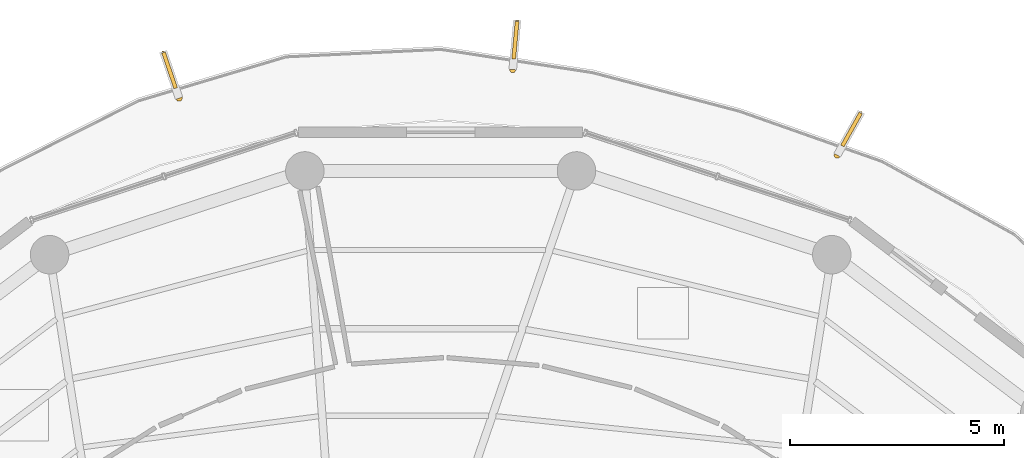
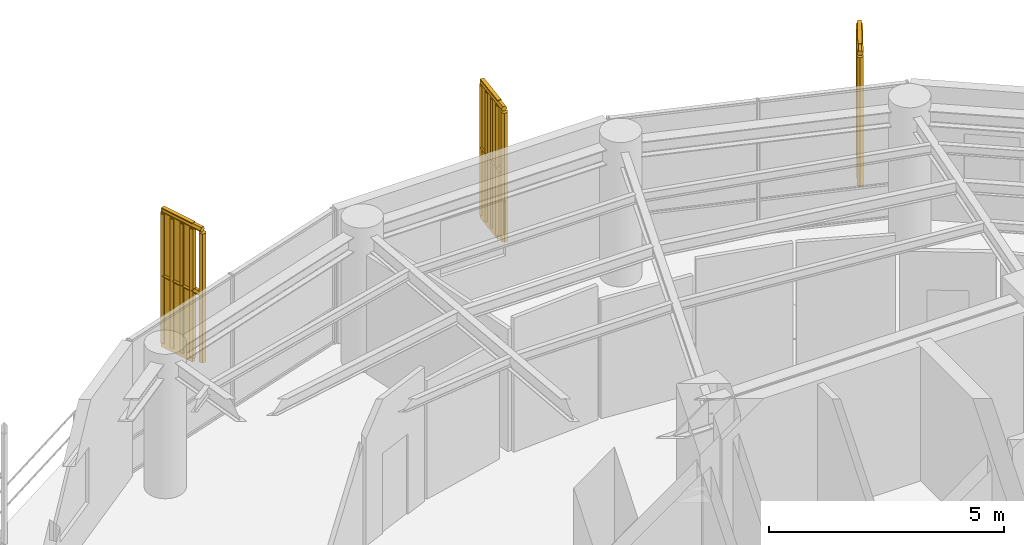
# One storey, part 23 of 23: 3 railings, 3 shading devices.
"""IFC4 building model written with IfcOpenShell, lengths in metres."""

from ifc_helpers import new_model, si_unit, direction, frame, origin, origin_2d, place, context, subcontext, project, spatial, polyline, rectangle, outline, extrude, source, transform, mapped, material, type_object, element, save


model = new_model("IFC4")

# Units and contexts
model_context = context("Model", 3, precision=1e-05, world=origin(), true_north=direction((0.0, 1.0)))
body_context = subcontext(model_context, "Body", "Model", "MODEL_VIEW")
ifc_project = project(units=[si_unit("LENGTHUNIT", "METRE"), si_unit("AREAUNIT", "SQUARE_METRE"), si_unit("VOLUMEUNIT", "CUBIC_METRE"), si_unit("PLANEANGLEUNIT", "RADIAN"), si_unit("MASSUNIT", "GRAM", prefix="KILO")], contexts=[model_context])

# Site, building, storey
site_placement = place(None, origin())
site = spatial("IfcSite", under=ifc_project, at=site_placement, CompositionType="ELEMENT")
building_placement = place(site_placement, origin())
building = spatial("IfcBuilding", under=site, at=building_placement, Name="Kelanora Arch Commons", CompositionType="ELEMENT")
storey_placement = place(building_placement, frame((0.0, 0.0, 282.449951171875)))
storey = spatial("IfcBuildingStorey", under=building, at=storey_placement, Name="L72", CompositionType="ELEMENT", Elevation=282.449951171875)

# Railings
ifc_material_1 = material(Name="Anodised bronze vertical shading fin rib assembly")
railing_type = type_object("IfcRailingType", Name="RAIL-FIN-BRZ", PredefinedType="BALUSTRADE", material=ifc_material_1)
railing_1_placement = place(storey_placement, frame((83.26708984375, 74.59912109375, -0.02001953125)))
element("IfcRailing", 1, at=railing_1_placement, inside=storey, type_object=railing_type, Name="Sweeping Bronze Vertical Fin Blade L72-03", PredefinedType="BALUSTRADE", context=body_context, shape_type="SweptSolid", body=[
    extrude(outline(polyline([(0.06982421875, 0.0), (0.034912109375, 0.060546875), (-0.034912109375, 0.060546875), (-0.06982421875, 0.0), (-0.034912109375, -0.060546875), (0.034912109375, -0.060546875), (0.06982421875, 0.0)])), frame((0.0, 0.0, 3.419921875), z_axis=(0.487425601124, 0.873164522509, 0.0), x_axis=(-0.873164522509, 0.487425601124, 0.0)), (0.0, 0.0, 1.0), 1.092529296875),
    extrude(outline(polyline([(0.06982421875, 0.0), (0.034912109375, 0.060546875), (-0.034912109375, 0.060546875), (-0.06982421875, 0.0), (-0.034912109375, -0.060546875), (0.034912109375, -0.060546875), (0.06982421875, 0.0)])), frame((0.0, 0.0, 1.7451171875), z_axis=(0.487425601124, 0.873164522509, 0.0), x_axis=(-0.873164522509, 0.487425601124, 0.0)), (0.0, 0.0, 1.0), 1.092529296875),
    extrude(outline(polyline([(0.080078125, 0.0), (0.0400390625, 0.0693359375), (-0.0400390625, 0.0693359375), (-0.080078125, 0.0), (-0.0400390625, -0.0693359375), (0.0400390625, -0.0693359375), (0.080078125, 0.0)])), origin(), (0.0, 0.0, 1.0), 3.35009765625),
    extrude(outline(polyline([(0.080078125, 0.0), (0.0400390625, 0.0693359375), (-0.0400390625, 0.0693359375), (-0.080078125, 0.0), (-0.0400390625, -0.0693359375), (0.0400390625, -0.0693359375), (0.080078125, 0.0)])), frame((0.133056640625, 0.238525390625, 0.0)), (0.0, 0.0, 1.0), 3.35009765625),
    extrude(outline(polyline([(0.080078125, 0.0), (0.0400390625, 0.0693359375), (-0.0400390625, 0.0693359375), (-0.080078125, 0.0), (-0.0400390625, -0.0693359375), (0.0400390625, -0.0693359375), (0.080078125, 0.0)])), frame((0.26611328125, 0.47705078125, 0.0)), (0.0, 0.0, 1.0), 3.35009765625),
    extrude(outline(polyline([(0.080078125, 0.0), (0.0400390625, 0.0693359375), (-0.0400390625, 0.0693359375), (-0.080078125, 0.0), (-0.0400390625, -0.0693359375), (0.0400390625, -0.0693359375), (0.080078125, 0.0)])), frame((0.3994140625, 0.71533203125, 0.0)), (0.0, 0.0, 1.0), 3.35009765625),
    extrude(outline(polyline([(0.080078125, 0.0), (0.0400390625, 0.0693359375), (-0.0400390625, 0.0693359375), (-0.080078125, 0.0), (-0.0400390625, -0.0693359375), (0.0400390625, -0.0693359375), (0.080078125, 0.0)])), frame((0.532470703125, 0.953857421875, 0.0)), (0.0, 0.0, 1.0), 3.35009765625),
])
railing_2_placement = place(storey_placement, frame((75.68408203125, 76.599609375, -0.02001953125)))
element("IfcRailing", 2, at=railing_2_placement, inside=storey, type_object=railing_type, Name="Sweeping Bronze Vertical Fin Blade L72-04", PredefinedType="BALUSTRADE", context=body_context, shape_type="SweptSolid", body=[
    extrude(outline(polyline([(0.06982421875, 0.0), (0.034912109375, 0.060546875), (-0.034912109375, 0.060546875), (-0.06982421875, 0.0), (-0.034912109375, -0.060546875), (0.034912109375, -0.060546875), (0.06982421875, 0.0)])), frame((0.0, 0.0, 3.419921875), z_axis=(0.090273830119, 0.995916982281, 0.0), x_axis=(-0.995916982281, 0.090273830119, 0.0)), (0.0, 0.0, 1.0), 1.092529296875),
    extrude(outline(polyline([(0.06982421875, 0.0), (0.034912109375, 0.060546875), (-0.034912109375, 0.060546875), (-0.06982421875, 0.0), (-0.034912109375, -0.060546875), (0.034912109375, -0.060546875), (0.06982421875, 0.0)])), frame((0.0, 0.0, 1.7451171875), z_axis=(0.090273830119, 0.995916982281, 0.0), x_axis=(-0.995916982281, 0.090273830119, 0.0)), (0.0, 0.0, 1.0), 1.092529296875),
    extrude(outline(polyline([(0.080078125, 0.0), (0.0400390625, 0.0693359375), (-0.0400390625, 0.0693359375), (-0.080078125, 0.0), (-0.0400390625, -0.0693359375), (0.0400390625, -0.0693359375), (0.080078125, 0.0)])), origin(), (0.0, 0.0, 1.0), 3.35009765625),
    extrude(outline(polyline([(0.080078125, 0.0), (0.0400390625, 0.0693359375), (-0.0400390625, 0.0693359375), (-0.080078125, 0.0), (-0.0400390625, -0.0693359375), (0.0400390625, -0.0693359375), (0.080078125, 0.0)])), frame((0.024658203125, 0.27197265625, 0.0)), (0.0, 0.0, 1.0), 3.35009765625),
    extrude(outline(polyline([(0.080078125, 0.0), (0.0400390625, 0.0693359375), (-0.0400390625, 0.0693359375), (-0.080078125, 0.0), (-0.0400390625, -0.0693359375), (0.0400390625, -0.0693359375), (0.080078125, 0.0)])), frame((0.04931640625, 0.5439453125, 0.0)), (0.0, 0.0, 1.0), 3.35009765625),
    extrude(outline(polyline([(0.080078125, 0.0), (0.0400390625, 0.0693359375), (-0.0400390625, 0.0693359375), (-0.080078125, 0.0), (-0.0400390625, -0.0693359375), (0.0400390625, -0.0693359375), (0.080078125, 0.0)])), frame((0.073974609375, 0.816162109375, 0.0)), (0.0, 0.0, 1.0), 3.35009765625),
    extrude(outline(polyline([(0.080078125, 0.0), (0.0400390625, 0.0693359375), (-0.0400390625, 0.0693359375), (-0.080078125, 0.0), (-0.0400390625, -0.0693359375), (0.0400390625, -0.0693359375), (0.080078125, 0.0)])), frame((0.0986328125, 1.088134765625, 0.0)), (0.0, 0.0, 1.0), 3.35009765625),
])
railing_3_placement = place(storey_placement, frame((67.886962890625, 75.9306640625, -0.02001953125)))
element("IfcRailing", 3, at=railing_3_placement, inside=storey, type_object=railing_type, Name="Sweeping Bronze Vertical Fin Blade L72-05", PredefinedType="BALUSTRADE", context=body_context, shape_type="SweptSolid", body=[
    extrude(outline(polyline([(0.06982421875, 0.0), (0.034912109375, 0.060546875), (-0.034912109375, 0.060546875), (-0.06982421875, 0.0), (-0.034912109375, -0.060546875), (0.034912109375, -0.060546875), (0.06982421875, 0.0)])), frame((0.0, 0.0, 3.419921875), z_axis=(-0.322924177589, 0.946424838816, 0.0), x_axis=(-0.946424838816, -0.322924177589, 0.0)), (0.0, 0.0, 1.0), 1.092529296875),
    extrude(outline(polyline([(0.06982421875, 0.0), (0.034912109375, 0.060546875), (-0.034912109375, 0.060546875), (-0.06982421875, 0.0), (-0.034912109375, -0.060546875), (0.034912109375, -0.060546875), (0.06982421875, 0.0)])), frame((0.0, 0.0, 1.7451171875), z_axis=(-0.322924177589, 0.946424838816, 0.0), x_axis=(-0.946424838816, -0.322924177589, 0.0)), (0.0, 0.0, 1.0), 1.092529296875),
    extrude(outline(polyline([(0.080078125, 0.0), (0.0400390625, 0.0693359375), (-0.0400390625, 0.0693359375), (-0.080078125, 0.0), (-0.0400390625, -0.0693359375), (0.0400390625, -0.0693359375), (0.080078125, 0.0)])), origin(), (0.0, 0.0, 1.0), 3.35009765625),
    extrude(outline(polyline([(0.080078125, 0.0), (0.0400390625, 0.0693359375), (-0.0400390625, 0.0693359375), (-0.080078125, 0.0), (-0.0400390625, -0.0693359375), (0.0400390625, -0.0693359375), (0.080078125, 0.0)])), frame((-0.088134765625, 0.258544921875, 0.0)), (0.0, 0.0, 1.0), 3.35009765625),
    extrude(outline(polyline([(0.080078125, 0.0), (0.0400390625, 0.0693359375), (-0.0400390625, 0.0693359375), (-0.080078125, 0.0), (-0.0400390625, -0.0693359375), (0.0400390625, -0.0693359375), (0.080078125, 0.0)])), frame((-0.17626953125, 0.51708984375, 0.0)), (0.0, 0.0, 1.0), 3.35009765625),
    extrude(outline(polyline([(0.080078125, 0.0), (0.0400390625, 0.0693359375), (-0.0400390625, 0.0693359375), (-0.080078125, 0.0), (-0.0400390625, -0.0693359375), (0.0400390625, -0.0693359375), (0.080078125, 0.0)])), frame((-0.2646484375, 0.775390625, 0.0)), (0.0, 0.0, 1.0), 3.35009765625),
    extrude(outline(polyline([(0.080078125, 0.0), (0.0400390625, 0.0693359375), (-0.0400390625, 0.0693359375), (-0.080078125, 0.0), (-0.0400390625, -0.0693359375), (0.0400390625, -0.0693359375), (0.080078125, 0.0)])), frame((-0.352783203125, 1.033935546875, 0.0)), (0.0, 0.0, 1.0), 3.35009765625),
])

# Shading devices
ifc_material_2 = material(Name="Terracotta ceramic-clad extruded aluminium fin", Category="masonry")
shading_device_type = type_object("IfcShadingDeviceType", Name="SHD-FIN-FLARE", PredefinedType="USERDEFINED", material=ifc_material_2)
shared_shape = source(origin(), body_context, "Body", "SweptSolid", [
    extrude(rectangle(XDim=0.8798828125, YDim=0.090087890625, at=origin_2d()), origin(), (0.0, 0.0, 1.0), 3.610107421875),
])
for number, where, z_axis, x_axis, name in (
    (4, (83.6015625, 75.198486328125, -0.14013671875), (0.0, 0.0, 1.0), (0.487402531354, 0.87317740032, 0.0), "Sweeping Terracotta Fin L72-03"),
    (5, (75.74609375, 77.283203125, -0.14013671875), (0.0, 0.0, 1.0), (0.090111123946, 0.995931717208, 0.0), "Sweeping Terracotta Fin L72-04"),
    (6, (67.665283203125, 76.580078125, -0.14013671875), (0.0, 0.0, 1.0), (-0.322761315426, 0.946480392435, 0.0), "Sweeping Terracotta Fin L72-05"),
):
    element("IfcShadingDevice", number, at=place(storey_placement, frame(where, z_axis=z_axis, x_axis=x_axis)), inside=storey, type_object=shading_device_type, Name=name, ObjectType="FIN", PredefinedType="USERDEFINED", context=body_context, shape_type="MappedRepresentation", body=[
        mapped(shared_shape, transform((0.0, 0.0, 0.0), scale=1.0)),
    ])

save(model, "model.ifc")
